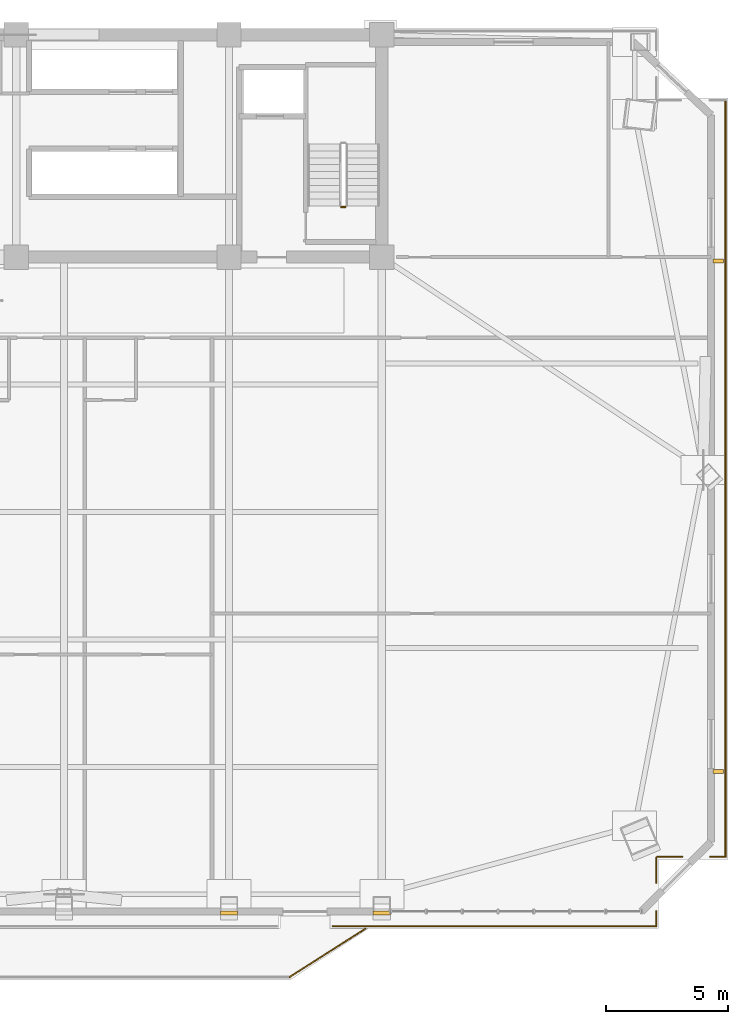
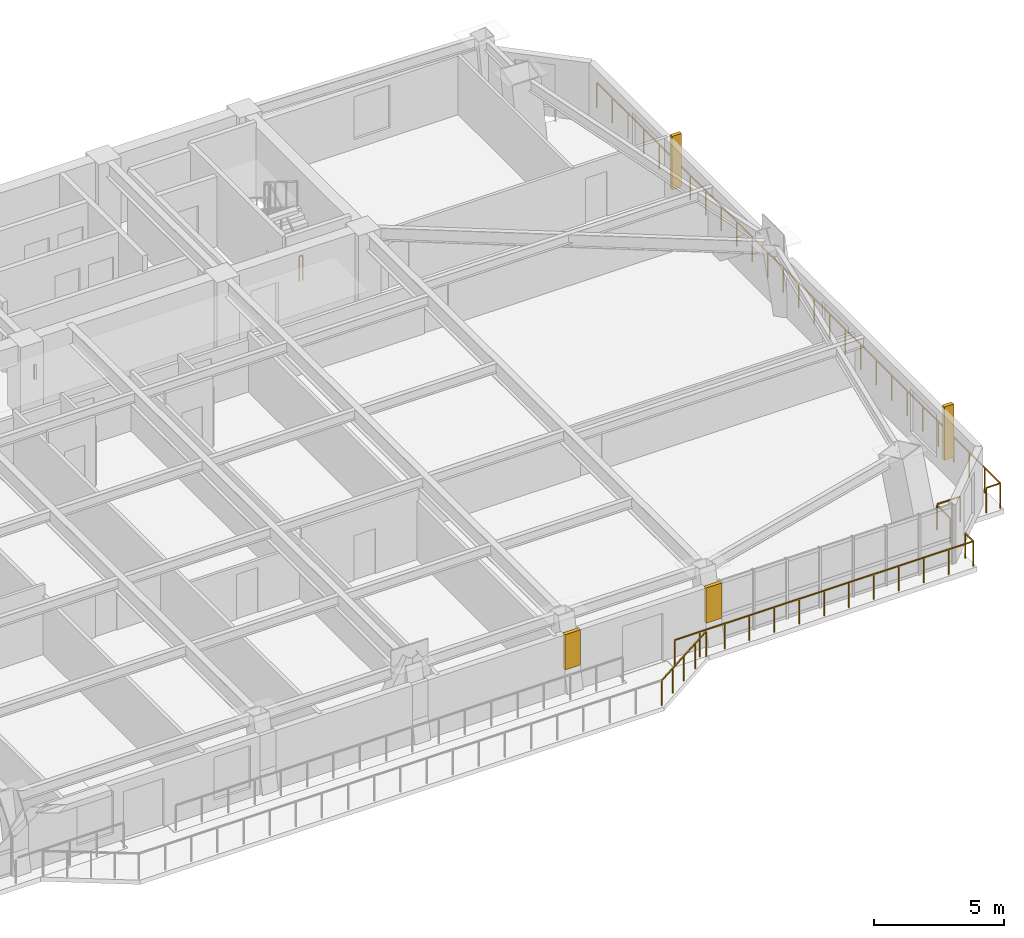
# One storey, part 14 of 16: 8 railings, 2 coverings, 2 shading devices.
"""IFC4 building model written with IfcOpenShell, lengths in metres."""

from ifc_helpers import new_model, si_unit, direction, frame, origin, origin_2d, place, context, subcontext, project, spatial, polyline, rectangle, outline, extrude, source, transform, mapped, material, layer, layer_set, type_object, element, save


model = new_model("IFC4")

# Units and contexts
model_context = context("Model", 3, precision=1e-05, world=origin(), true_north=direction((0.0, 1.0)))
body_context = subcontext(model_context, "Body", "Model", "MODEL_VIEW")
ifc_project = project(units=[si_unit("LENGTHUNIT", "METRE"), si_unit("AREAUNIT", "SQUARE_METRE"), si_unit("VOLUMEUNIT", "CUBIC_METRE"), si_unit("PLANEANGLEUNIT", "RADIAN"), si_unit("MASSUNIT", "GRAM", prefix="KILO")], contexts=[model_context])

# Site, building, storey
site_placement = place(None, origin())
site = spatial("IfcSite", under=ifc_project, at=site_placement, CompositionType="ELEMENT")
building_placement = place(site_placement, origin())
building = spatial("IfcBuilding", under=site, at=building_placement, Name="Giltprow Tower", CompositionType="ELEMENT")
storey_placement = place(building_placement, frame((0.0, 0.0, 199.199951171875)))
storey = spatial("IfcBuildingStorey", under=building, at=storey_placement, Name="L50", CompositionType="ELEMENT", Elevation=199.199951171875)

# Coverings
ifc_material = material(Name="Anodized bronze", Category="metal")
ifc_layer = layer(ifc_material, 0.0400390625, Name="Anodized bronze")
ifc_layer_set = layer_set([ifc_layer], Name="Anodized bronze")
covering_type = type_object("IfcCoveringType", Name="COV-SOFFIT-BRONZE", PredefinedType="CLADDING", material=ifc_layer_set)
covering_1_placement = place(storey_placement, frame((0.0, 0.0, 1.10009765625)))
element("IfcCovering", 1, at=covering_1_placement, inside=storey, type_object=covering_type, Name="L50 Setback Pier Closure Cladding S-4", PredefinedType="CLADDING", context=body_context, shape_type="SweptSolid", body=[
    extrude(outline(polyline([(43.949951171875, 10.5400390625), (44.64990234375, 10.5400390625), (44.64990234375, 10.699951171875), (43.949951171875, 10.699951171875), (43.949951171875, 10.5400390625)])), origin(), (0.0, 0.0, 1.0), 1.64990234375),
])
covering_2_placement = place(storey_placement, frame((0.0, 0.0, 1.10009765625)))
element("IfcCovering", 2, at=covering_2_placement, inside=storey, type_object=covering_type, Name="L50 Setback Pier Closure Cladding S-5", PredefinedType="CLADDING", context=body_context, shape_type="SweptSolid", body=[
    extrude(outline(polyline([(50.199951171875, 10.5400390625), (50.89990234375, 10.5400390625), (50.89990234375, 10.699951171875), (50.199951171875, 10.699951171875), (50.199951171875, 10.5400390625)])), origin(), (0.0, 0.0, 1.0), 1.64990234375),
])

# Railings
railing_type_1 = type_object("IfcRailingType", Name="RAIL-BALC-GUARD-1200", PredefinedType="BALUSTRADE", material=ifc_material)
railing_1_placement = place(storey_placement, frame((46.780029296875, 8.0, 0.0)))
element("IfcRailing", 3, at=railing_1_placement, inside=storey, type_object=railing_type_1, Name="L50 Waterfront Balcony Balustrade Seg 3", PredefinedType="BALUSTRADE", context=body_context, shape_type="SweptSolid", body=[
    extrude(rectangle(XDim=0.048095703125, YDim=0.048095703125, at=origin_2d()), frame((0.0, 0.0, 1.17578125), z_axis=(0.842755646126, 0.538296313309, 0.0), x_axis=(-0.538296313309, 0.842755646126, 0.0)), (0.0, 0.0, 1.0), 3.67822265625),
    extrude(rectangle(XDim=0.0419921875, YDim=0.0419921875, at=origin_2d()), origin(), (0.0, 0.0, 1.0), 1.15185546875),
    extrude(rectangle(XDim=0.0419921875, YDim=0.0419921875, at=origin_2d()), frame((0.77490234375, 0.4951171875, 0.0)), (0.0, 0.0, 1.0), 1.15185546875),
    extrude(rectangle(XDim=0.0419921875, YDim=0.0419921875, at=origin_2d()), frame((1.5498046875, 0.989990234375, 0.0)), (0.0, 0.0, 1.0), 1.15185546875),
    extrude(rectangle(XDim=0.0419921875, YDim=0.0419921875, at=origin_2d()), frame((2.324951171875, 1.48486328125, 0.0)), (0.0, 0.0, 1.0), 1.15185546875),
    extrude(rectangle(XDim=0.0419921875, YDim=0.0419921875, at=origin_2d()), frame((3.099853515625, 1.97998046875, 0.0)), (0.0, 0.0, 1.0), 1.15185546875),
])
railing_2_placement = place(storey_placement, frame((64.612060546875, 43.864990234375, 0.0)))
element("IfcRailing", 4, at=railing_2_placement, inside=storey, type_object=railing_type_1, Name="L50 Corner Apron Edge Balustrade 1", PredefinedType="BALUSTRADE", context=body_context, shape_type="SweptSolid", body=[
    extrude(rectangle(XDim=0.048095703125, YDim=0.048095703125, at=origin_2d()), frame((0.0, 0.0, 1.17578125), z_axis=(0.0, -1.0, 0.0), x_axis=(1.0, 0.0, 0.0)), (0.0, 0.0, 1.0), 30.948974609375),
    extrude(rectangle(XDim=0.0419921875, YDim=0.0419921875, at=origin_2d()), origin(), (0.0, 0.0, 1.0), 1.15185546875),
    extrude(rectangle(XDim=0.0419921875, YDim=0.0419921875, at=origin_2d()), frame((0.0, -1.1904296875, 0.0)), (0.0, 0.0, 1.0), 1.15185546875),
    extrude(rectangle(XDim=0.0419921875, YDim=0.0419921875, at=origin_2d()), frame((0.0, -2.380615234375, 0.0)), (0.0, 0.0, 1.0), 1.15185546875),
    extrude(rectangle(XDim=0.0419921875, YDim=0.0419921875, at=origin_2d()), frame((0.0, -3.571044921875, 0.0)), (0.0, 0.0, 1.0), 1.15185546875),
    extrude(rectangle(XDim=0.0419921875, YDim=0.0419921875, at=origin_2d()), frame((0.0, -4.761474609375, 0.0)), (0.0, 0.0, 1.0), 1.15185546875),
    extrude(rectangle(XDim=0.0419921875, YDim=0.0419921875, at=origin_2d()), frame((0.0, -5.95166015625, 0.0)), (0.0, 0.0, 1.0), 1.15185546875),
    extrude(rectangle(XDim=0.0419921875, YDim=0.0419921875, at=origin_2d()), frame((0.0, -7.14208984375, 0.0)), (0.0, 0.0, 1.0), 1.15185546875),
    extrude(rectangle(XDim=0.0419921875, YDim=0.0419921875, at=origin_2d()), frame((0.0, -8.33251953125, 0.0)), (0.0, 0.0, 1.0), 1.15185546875),
    extrude(rectangle(XDim=0.0419921875, YDim=0.0419921875, at=origin_2d()), frame((0.0, -9.522705078125, 0.0)), (0.0, 0.0, 1.0), 1.15185546875),
    extrude(rectangle(XDim=0.0419921875, YDim=0.0419921875, at=origin_2d()), frame((0.0, -10.713134765625, 0.0)), (0.0, 0.0, 1.0), 1.15185546875),
    extrude(rectangle(XDim=0.0419921875, YDim=0.0419921875, at=origin_2d()), frame((0.0, -11.903564453125, 0.0)), (0.0, 0.0, 1.0), 1.15185546875),
    extrude(rectangle(XDim=0.0419921875, YDim=0.0419921875, at=origin_2d()), frame((0.0, -13.09375, 0.0)), (0.0, 0.0, 1.0), 1.15185546875),
    extrude(rectangle(XDim=0.0419921875, YDim=0.0419921875, at=origin_2d()), frame((0.0, -14.2841796875, 0.0)), (0.0, 0.0, 1.0), 1.15185546875),
    extrude(rectangle(XDim=0.0419921875, YDim=0.0419921875, at=origin_2d()), frame((0.0, -15.474609375, 0.0)), (0.0, 0.0, 1.0), 1.15185546875),
    extrude(rectangle(XDim=0.0419921875, YDim=0.0419921875, at=origin_2d()), frame((0.0, -16.664794921875, 0.0)), (0.0, 0.0, 1.0), 1.15185546875),
    extrude(rectangle(XDim=0.0419921875, YDim=0.0419921875, at=origin_2d()), frame((0.0, -17.855224609375, 0.0)), (0.0, 0.0, 1.0), 1.15185546875),
    extrude(rectangle(XDim=0.0419921875, YDim=0.0419921875, at=origin_2d()), frame((0.0, -19.04541015625, 0.0)), (0.0, 0.0, 1.0), 1.15185546875),
    extrude(rectangle(XDim=0.0419921875, YDim=0.0419921875, at=origin_2d()), frame((0.0, -20.23583984375, 0.0)), (0.0, 0.0, 1.0), 1.15185546875),
    extrude(rectangle(XDim=0.0419921875, YDim=0.0419921875, at=origin_2d()), frame((0.0, -21.42626953125, 0.0)), (0.0, 0.0, 1.0), 1.15185546875),
    extrude(rectangle(XDim=0.0419921875, YDim=0.0419921875, at=origin_2d()), frame((0.0, -22.616455078125, 0.0)), (0.0, 0.0, 1.0), 1.15185546875),
    extrude(rectangle(XDim=0.0419921875, YDim=0.0419921875, at=origin_2d()), frame((0.0, -23.806884765625, 0.0)), (0.0, 0.0, 1.0), 1.15185546875),
    extrude(rectangle(XDim=0.0419921875, YDim=0.0419921875, at=origin_2d()), frame((0.0, -24.997314453125, 0.0)), (0.0, 0.0, 1.0), 1.15185546875),
    extrude(rectangle(XDim=0.0419921875, YDim=0.0419921875, at=origin_2d()), frame((0.0, -26.1875, 0.0)), (0.0, 0.0, 1.0), 1.15185546875),
    extrude(rectangle(XDim=0.0419921875, YDim=0.0419921875, at=origin_2d()), frame((0.0, -27.3779296875, 0.0)), (0.0, 0.0, 1.0), 1.15185546875),
    extrude(rectangle(XDim=0.0419921875, YDim=0.0419921875, at=origin_2d()), frame((0.0, -28.568359375, 0.0)), (0.0, 0.0, 1.0), 1.15185546875),
    extrude(rectangle(XDim=0.0419921875, YDim=0.0419921875, at=origin_2d()), frame((0.0, -29.758544921875, 0.0)), (0.0, 0.0, 1.0), 1.15185546875),
    extrude(rectangle(XDim=0.0419921875, YDim=0.0419921875, at=origin_2d()), frame((0.0, -30.948974609375, 0.0)), (0.0, 0.0, 1.0), 1.15185546875),
])
railing_3_placement = place(storey_placement, frame((64.612060546875, 12.916015625, 0.0)))
element("IfcRailing", 5, at=railing_3_placement, inside=storey, type_object=railing_type_1, Name="L50 Corner Apron Edge Balustrade 2", PredefinedType="BALUSTRADE", context=body_context, shape_type="SweptSolid", body=[
    extrude(rectangle(XDim=0.048095703125, YDim=0.048095703125, at=origin_2d()), frame((0.0, 0.0, 1.17578125), z_axis=(-1.0, 0.0, 0.0), x_axis=(0.0, -1.0, 0.0)), (0.0, 0.0, 1.0), 0.619140625),
    extrude(rectangle(XDim=0.0419921875, YDim=0.0419921875, at=origin_2d()), origin(), (0.0, 0.0, 1.0), 1.15185546875),
    extrude(rectangle(XDim=0.0419921875, YDim=0.0419921875, at=origin_2d()), frame((-0.619140625, 0.0, 0.0)), (0.0, 0.0, 1.0), 1.15185546875),
])
railing_4_placement = place(storey_placement, frame((62.8330078125, 12.916015625, 0.0)))
element("IfcRailing", 6, at=railing_4_placement, inside=storey, type_object=railing_type_1, Name="L50 Corner Apron Edge Balustrade 3", PredefinedType="BALUSTRADE", context=body_context, shape_type="SweptSolid", body=[
    extrude(rectangle(XDim=0.048095703125, YDim=0.048095703125, at=origin_2d()), frame((0.0, 0.0, 1.17578125), z_axis=(-1.0, 0.0, 0.0), x_axis=(0.0, -1.0, 0.0)), (0.0, 0.0, 1.0), 1.02099609375),
    extrude(rectangle(XDim=0.0419921875, YDim=0.0419921875, at=origin_2d()), origin(), (0.0, 0.0, 1.0), 1.15185546875),
    extrude(rectangle(XDim=0.0419921875, YDim=0.0419921875, at=origin_2d()), frame((-1.02099609375, 0.0, 0.0)), (0.0, 0.0, 1.0), 1.15185546875),
])
railing_5_placement = place(storey_placement, frame((61.777099609375, 12.8798828125, 0.0)))
element("IfcRailing", 7, at=railing_5_placement, inside=storey, type_object=railing_type_1, Name="L50 Corner Apron Edge Balustrade 4", PredefinedType="BALUSTRADE", context=body_context, shape_type="SweptSolid", body=[
    extrude(rectangle(XDim=0.048095703125, YDim=0.048095703125, at=origin_2d()), frame((0.0, 0.0, 1.17578125), z_axis=(0.0, -1.0, 0.0), x_axis=(1.0, 0.0, 0.0)), (0.0, 0.0, 1.0), 1.019775390625),
    extrude(rectangle(XDim=0.0419921875, YDim=0.0419921875, at=origin_2d()), origin(), (0.0, 0.0, 1.0), 1.15185546875),
    extrude(rectangle(XDim=0.0419921875, YDim=0.0419921875, at=origin_2d()), frame((0.0, -1.019775390625, 0.0)), (0.0, 0.0, 1.0), 1.15185546875),
])
railing_6_placement = place(storey_placement, frame((61.777099609375, 10.699951171875, 0.0)))
element("IfcRailing", 8, at=railing_6_placement, inside=storey, type_object=railing_type_1, Name="L50 Corner Apron Edge Balustrade 5", PredefinedType="BALUSTRADE", context=body_context, shape_type="SweptSolid", body=[
    extrude(rectangle(XDim=0.048095703125, YDim=0.048095703125, at=origin_2d()), frame((0.0, 0.0, 1.17578125), z_axis=(0.0, -1.0, 0.0), x_axis=(1.0, 0.0, 0.0)), (0.0, 0.0, 1.0), 0.619873046875),
    extrude(rectangle(XDim=0.0419921875, YDim=0.0419921875, at=origin_2d()), origin(), (0.0, 0.0, 1.0), 1.15185546875),
    extrude(rectangle(XDim=0.0419921875, YDim=0.0419921875, at=origin_2d()), frame((0.0, -0.619873046875, 0.0)), (0.0, 0.0, 1.0), 1.15185546875),
])
railing_7_placement = place(storey_placement, frame((61.777099609375, 10.080078125, 0.0)))
element("IfcRailing", 9, at=railing_7_placement, inside=storey, type_object=railing_type_1, Name="L50 Corner Apron Edge Balustrade 6", PredefinedType="BALUSTRADE", context=body_context, shape_type="SweptSolid", body=[
    extrude(rectangle(XDim=0.048095703125, YDim=0.048095703125, at=origin_2d()), frame((0.0, 0.0, 1.17578125), z_axis=(-1.0, 0.0, 0.0), x_axis=(0.0, -1.0, 0.0)), (0.0, 0.0, 1.0), 13.22705078125),
    extrude(rectangle(XDim=0.0419921875, YDim=0.0419921875, at=origin_2d()), origin(), (0.0, 0.0, 1.0), 1.15185546875),
    extrude(rectangle(XDim=0.0419921875, YDim=0.0419921875, at=origin_2d()), frame((-1.102294921875, 0.0, 0.0)), (0.0, 0.0, 1.0), 1.15185546875),
    extrude(rectangle(XDim=0.0419921875, YDim=0.0419921875, at=origin_2d()), frame((-2.20458984375, 0.0, 0.0)), (0.0, 0.0, 1.0), 1.15185546875),
    extrude(rectangle(XDim=0.0419921875, YDim=0.0419921875, at=origin_2d()), frame((-3.306640625, 0.0, 0.0)), (0.0, 0.0, 1.0), 1.15185546875),
    extrude(rectangle(XDim=0.0419921875, YDim=0.0419921875, at=origin_2d()), frame((-4.408935546875, 0.0, 0.0)), (0.0, 0.0, 1.0), 1.15185546875),
    extrude(rectangle(XDim=0.0419921875, YDim=0.0419921875, at=origin_2d()), frame((-5.51123046875, 0.0, 0.0)), (0.0, 0.0, 1.0), 1.15185546875),
    extrude(rectangle(XDim=0.0419921875, YDim=0.0419921875, at=origin_2d()), frame((-6.613525390625, 0.0, 0.0)), (0.0, 0.0, 1.0), 1.15185546875),
    extrude(rectangle(XDim=0.0419921875, YDim=0.0419921875, at=origin_2d()), frame((-7.7158203125, 0.0, 0.0)), (0.0, 0.0, 1.0), 1.15185546875),
    extrude(rectangle(XDim=0.0419921875, YDim=0.0419921875, at=origin_2d()), frame((-8.818115234375, 0.0, 0.0)), (0.0, 0.0, 1.0), 1.15185546875),
    extrude(rectangle(XDim=0.0419921875, YDim=0.0419921875, at=origin_2d()), frame((-9.92041015625, 0.0, 0.0)), (0.0, 0.0, 1.0), 1.15185546875),
    extrude(rectangle(XDim=0.0419921875, YDim=0.0419921875, at=origin_2d()), frame((-11.0224609375, 0.0, 0.0)), (0.0, 0.0, 1.0), 1.15185546875),
    extrude(rectangle(XDim=0.0419921875, YDim=0.0419921875, at=origin_2d()), frame((-12.124755859375, 0.0, 0.0)), (0.0, 0.0, 1.0), 1.15185546875),
    extrude(rectangle(XDim=0.0419921875, YDim=0.0419921875, at=origin_2d()), frame((-13.22705078125, 0.0, 0.0)), (0.0, 0.0, 1.0), 1.15185546875),
])
railing_type_2 = type_object("IfcRailingType", Name="RAIL-STAIR-GUARD-1200", PredefinedType="GUARDRAIL", material=ifc_material)
railing_8_placement = place(storey_placement, frame((49.06005859375, 39.5, 0.0)))
element("IfcRailing", 10, at=railing_8_placement, inside=storey, type_object=railing_type_2, Name="L50 ST-3 stair guard 4", PredefinedType="GUARDRAIL", context=body_context, shape_type="SweptSolid", body=[
    extrude(rectangle(XDim=0.048095703125, YDim=0.048095703125, at=origin_2d()), frame((0.0, 0.0, 1.17578125), z_axis=(-1.0, 0.0, 0.0), x_axis=(0.0, -1.0, 0.0)), (0.0, 0.0, 1.0), 0.16015625),
    extrude(rectangle(XDim=0.0419921875, YDim=0.0419921875, at=origin_2d()), origin(), (0.0, 0.0, 1.0), 1.15185546875),
    extrude(rectangle(XDim=0.0419921875, YDim=0.0419921875, at=origin_2d()), frame((-0.16015625, 0.0, 0.0)), (0.0, 0.0, 1.0), 1.15185546875),
])

# Shading devices
shading_device_type = type_object("IfcShadingDeviceType", Name="SHD-FIN-420", PredefinedType="USERDEFINED", material=ifc_material)
shared_shape = source(origin(), body_context, "Body", "SweptSolid", [
    extrude(rectangle(XDim=0.419921875, YDim=0.159912109375, at=origin_2d()), origin(), (0.0, 0.0, 1.0), 2.5),
])
for number, where, z_axis, x_axis, name in (
    (11, (64.31201171875, 16.412109375, 0.35009765625), (0.0, 0.0, 1.0), (1.0, 0.0, 0.0), "L50 E Bronze Vertical Fin 1-1"),
    (12, (64.31201171875, 37.2939453125, 0.35009765625), (0.0, 0.0, 1.0), (1.0, 0.0, 0.0), "L50 E Bronze Vertical Fin 2-1"),
):
    element("IfcShadingDevice", number, at=place(storey_placement, frame(where, z_axis=z_axis, x_axis=x_axis)), inside=storey, type_object=shading_device_type, Name=name, ObjectType="FIN", PredefinedType="USERDEFINED", context=body_context, shape_type="MappedRepresentation", body=[
        mapped(shared_shape, transform((0.0, 0.0, 0.0), x_axis=(1.0, 0.0, 0.0), y_axis=(0.0, 1.0, 0.0), z_axis=(0.0, 0.0, 1.0), scale=1.0)),
    ])

save(model, "model.ifc")
